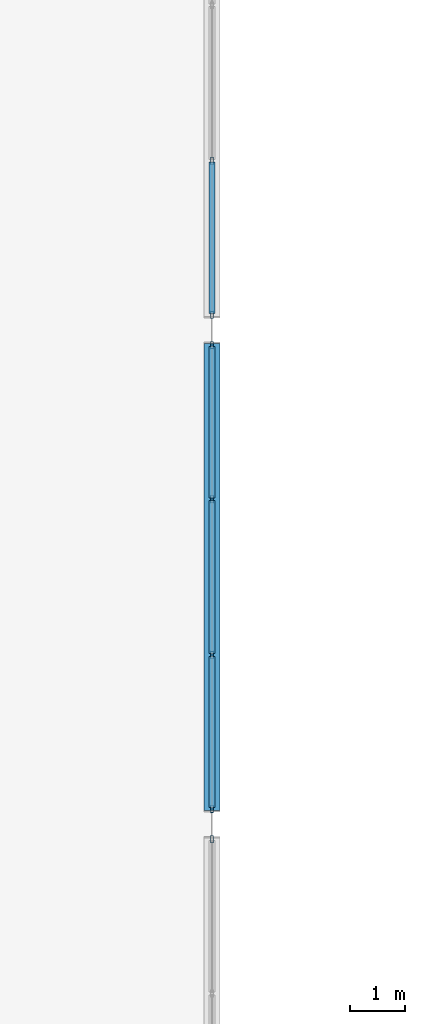
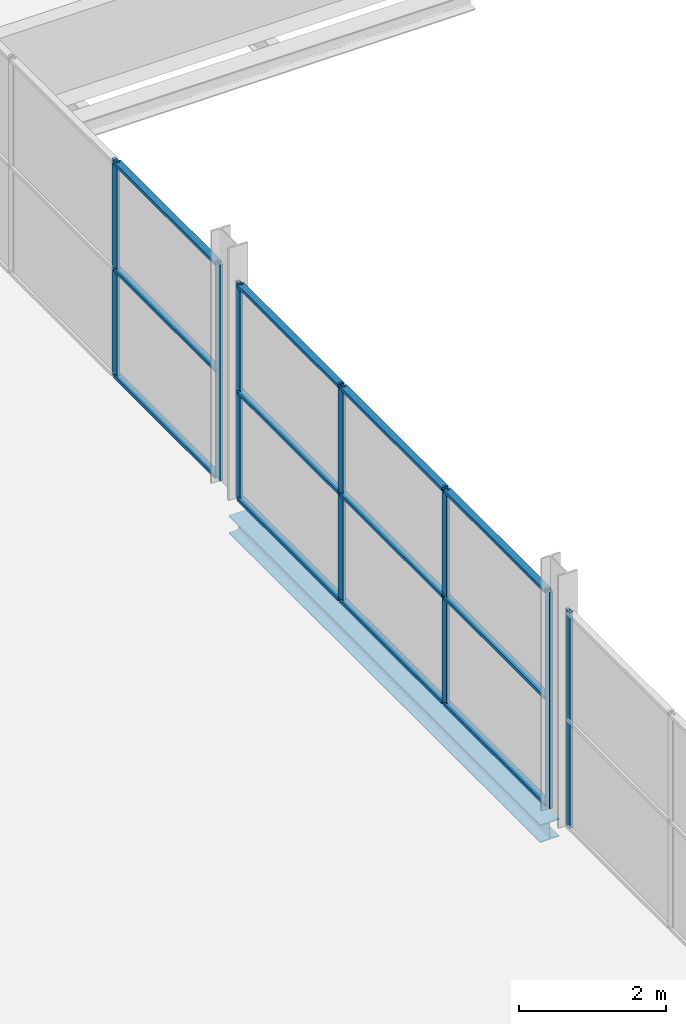
# One storey, part 23 of 59: 19 members, 1 beam, 3 elements without a shape of their own.
"""IFC4 building model written with IfcOpenShell, lengths in metres."""

from ifc_helpers import new_model, si_unit, direction, frame, origin, origin_2d, place, context, subcontext, project, spatial, hollow_rectangle, i_section, extrude, material, layer, layer_set, material_profile, profile_set, type_object, element, aggregate, save


model = new_model("IFC4")

# Units and contexts
model_context = context("Model", 3, precision=1e-05, world=origin(), true_north=direction((0.0, 1.0)))
body_context = subcontext(model_context, "Body", "Model", "MODEL_VIEW")
ifc_project = project(units=[si_unit("LENGTHUNIT", "METRE"), si_unit("AREAUNIT", "SQUARE_METRE"), si_unit("VOLUMEUNIT", "CUBIC_METRE"), si_unit("PLANEANGLEUNIT", "RADIAN"), si_unit("MASSUNIT", "GRAM", prefix="KILO")], contexts=[model_context])

# Site, building, storey
site_placement = place(None, origin())
site = spatial("IfcSite", under=ifc_project, at=site_placement, CompositionType="ELEMENT")
building_placement = place(site_placement, origin())
building = spatial("IfcBuilding", under=site, at=building_placement, Name="Deido Ridge Mobility Hub", CompositionType="ELEMENT")
storey_placement = place(building_placement, frame((0.0, 0.0, 21.0)))
storey = spatial("IfcBuildingStorey", under=building, at=storey_placement, Name="L05", CompositionType="ELEMENT", Elevation=21.0)

# Curtain wall, member
ifc_material_1 = material(Name="Anodised aluminium EN AW-6063 T6", Category="aluminium")
ifc_layer = layer(ifc_material_1, 0.16796875, Name="Anodised aluminium EN AW-6063 T6")
ifc_layer_set = layer_set([ifc_layer], Name="Anodised aluminium EN AW-6063 T6")
curtain_wall_type = type_object("IfcCurtainWallType", Name="CW-GS-4", PredefinedType="USERDEFINED", material=ifc_layer_set)
curtain_wall_1_placement = place(storey_placement, origin())
curtain_wall_1 = element("IfcCurtainWall", 1, at=curtain_wall_1_placement, inside=storey, type_object=curtain_wall_type, Name="Unitised curtain wall GS4", ObjectType="GLAZED SCREEN", PredefinedType="USERDEFINED")
ifc_material_profile_1 = material_profile(ifc_material_1, hollow_rectangle(XDim=0.050048828125, YDim=0.1298828125, WallThickness=0.00390625, at=origin_2d()), Name="RHS 50x130x4")
ifc_profile_set_1 = profile_set([ifc_material_profile_1], Name="Anodised aluminium EN AW-6063 T6")
member_type_1 = type_object("IfcMemberType", Name="MEM-MUL-50X130", PredefinedType="MULLION", material=ifc_profile_set_1)
member_1_placement = place(storey_placement, frame((99.0, 62.72509765625, 0.0), z_axis=(0.0, 0.0, 1.0), x_axis=(-1.0, 0.0, 0.0)))
member_1 = element("IfcMember", 2, at=member_1_placement, type_object=member_type_1, Name="GS4 mullion 4", PredefinedType="MULLION", context=body_context, shape_type="SweptSolid", body=[
    extrude(hollow_rectangle(XDim=0.050048828125, YDim=0.1298828125, WallThickness=0.00390625, at=origin_2d()), origin(), (0.0, 0.0, 1.0), 3.60009765625),
])
aggregate(curtain_wall_1, [member_1])

# Curtain wall, members
curtain_wall_2_placement = place(storey_placement, origin())
curtain_wall_2 = element("IfcCurtainWall", 3, at=curtain_wall_2_placement, inside=storey, type_object=curtain_wall_type, Name="Unitised curtain wall GS4", ObjectType="GLAZED SCREEN", PredefinedType="USERDEFINED")
member_2_placement = place(storey_placement, frame((99.0, 63.27490234375, 0.0), z_axis=(0.0, 0.0, 1.0), x_axis=(-1.0, 0.0, 0.0)))
member_2 = element("IfcMember", 4, at=member_2_placement, type_object=member_type_1, Name="GS4 mullion 1", PredefinedType="MULLION", context=body_context, shape_type="SweptSolid", body=[
    extrude(hollow_rectangle(XDim=0.050048828125, YDim=0.1298828125, WallThickness=0.00390625, at=origin_2d()), origin(), (0.0, 0.0, 1.0), 3.60009765625),
])
member_3_placement = place(storey_placement, frame((99.0, 66.083251953125, 0.0), z_axis=(0.0, 0.0, 1.0), x_axis=(-1.0, 0.0, 0.0)))
member_3 = element("IfcMember", 5, at=member_3_placement, type_object=member_type_1, Name="GS4 mullion 2", PredefinedType="MULLION", context=body_context, shape_type="SweptSolid", body=[
    extrude(hollow_rectangle(XDim=0.050048828125, YDim=0.1298828125, WallThickness=0.00390625, at=origin_2d()), origin(), (0.0, 0.0, 1.0), 3.60009765625),
])
member_4_placement = place(storey_placement, frame((99.0, 68.916748046875, 0.0), z_axis=(0.0, 0.0, 1.0), x_axis=(-1.0, 0.0, 0.0)))
member_4 = element("IfcMember", 6, at=member_4_placement, type_object=member_type_1, Name="GS4 mullion 3", PredefinedType="MULLION", context=body_context, shape_type="SweptSolid", body=[
    extrude(hollow_rectangle(XDim=0.050048828125, YDim=0.1298828125, WallThickness=0.00390625, at=origin_2d()), origin(), (0.0, 0.0, 1.0), 3.60009765625),
])
member_5_placement = place(storey_placement, frame((99.0, 71.72509765625, 0.0), z_axis=(0.0, 0.0, 1.0), x_axis=(-1.0, 0.0, 0.0)))
member_5 = element("IfcMember", 7, at=member_5_placement, type_object=member_type_1, Name="GS4 mullion 4", PredefinedType="MULLION", context=body_context, shape_type="SweptSolid", body=[
    extrude(hollow_rectangle(XDim=0.050048828125, YDim=0.1298828125, WallThickness=0.00390625, at=origin_2d()), origin(), (0.0, 0.0, 1.0), 3.60009765625),
])

curtain_wall_3_placement = place(storey_placement, origin())
curtain_wall_3 = element("IfcCurtainWall", 8, at=curtain_wall_3_placement, inside=storey, type_object=curtain_wall_type, Name="Unitised curtain wall GS4", ObjectType="GLAZED SCREEN", PredefinedType="USERDEFINED")
member_6_placement = place(storey_placement, frame((99.0, 72.27490234375, 0.0), z_axis=(0.0, 0.0, 1.0), x_axis=(-1.0, 0.0, 0.0)))
member_6 = element("IfcMember", 9, at=member_6_placement, type_object=member_type_1, Name="GS4 mullion 1", PredefinedType="MULLION", context=body_context, shape_type="SweptSolid", body=[
    extrude(hollow_rectangle(XDim=0.050048828125, YDim=0.1298828125, WallThickness=0.00390625, at=origin_2d()), origin(), (0.0, 0.0, 1.0), 3.60009765625),
])
member_7_placement = place(storey_placement, frame((99.0, 75.083251953125, 0.0), z_axis=(0.0, 0.0, 1.0), x_axis=(-1.0, 0.0, 0.0)))
member_7 = element("IfcMember", 10, at=member_7_placement, type_object=member_type_1, Name="GS4 mullion 2", PredefinedType="MULLION", context=body_context, shape_type="SweptSolid", body=[
    extrude(hollow_rectangle(XDim=0.050048828125, YDim=0.1298828125, WallThickness=0.00390625, at=origin_2d()), origin(), (0.0, 0.0, 1.0), 3.60009765625),
])

# Member
ifc_material_profile_2 = material_profile(ifc_material_1, hollow_rectangle(XDim=0.10498046875, YDim=0.050048828125, WallThickness=0.00390625, at=origin_2d()), Name="RHS 105x50x4")
ifc_profile_set_2 = profile_set([ifc_material_profile_2], Name="Anodised aluminium EN AW-6063 T6")
member_type_2 = type_object("IfcMemberType", Name="MEM-TRN-105X50", PredefinedType="USERDEFINED", material=ifc_profile_set_2)
member_8_placement = place(storey_placement, frame((99.0, 63.300048828125, 0.02490234375), z_axis=(0.0, 1.0, 0.0), x_axis=(-1.0, 0.0, 0.0)))
member_8 = element("IfcMember", 11, at=member_8_placement, type_object=member_type_2, Name="GS4 transom 1.1", ObjectType="TRANSOM", PredefinedType="USERDEFINED", context=body_context, shape_type="SweptSolid", body=[
    extrude(hollow_rectangle(XDim=0.10498046875, YDim=0.050048828125, WallThickness=0.00390625, at=origin_2d()), origin(), (0.0, 0.0, 1.0), 2.75830078125),
])

member_9_placement = place(storey_placement, frame((99.0, 63.300048828125, 1.800048828125), z_axis=(0.0, 1.0, 0.0), x_axis=(-1.0, 0.0, 0.0)))
member_9 = element("IfcMember", 12, at=member_9_placement, type_object=member_type_2, Name="GS4 transom 1.2", ObjectType="TRANSOM", PredefinedType="USERDEFINED", context=body_context, shape_type="SweptSolid", body=[
    extrude(hollow_rectangle(XDim=0.10498046875, YDim=0.050048828125, WallThickness=0.00390625, at=origin_2d()), origin(), (0.0, 0.0, 1.0), 2.75830078125),
])

member_10_placement = place(storey_placement, frame((99.0, 63.300048828125, 3.574951171875), z_axis=(0.0, 1.0, 0.0), x_axis=(-1.0, 0.0, 0.0)))
member_10 = element("IfcMember", 13, at=member_10_placement, type_object=member_type_2, Name="GS4 transom 1.3", ObjectType="TRANSOM", PredefinedType="USERDEFINED", context=body_context, shape_type="SweptSolid", body=[
    extrude(hollow_rectangle(XDim=0.10498046875, YDim=0.050048828125, WallThickness=0.00390625, at=origin_2d()), origin(), (0.0, 0.0, 1.0), 2.75830078125),
])

member_11_placement = place(storey_placement, frame((99.0, 66.1083984375, 0.02490234375), z_axis=(0.0, 1.0, 0.0), x_axis=(-1.0, 0.0, 0.0)))
member_11 = element("IfcMember", 14, at=member_11_placement, type_object=member_type_2, Name="GS4 transom 2.1", ObjectType="TRANSOM", PredefinedType="USERDEFINED", context=body_context, shape_type="SweptSolid", body=[
    extrude(hollow_rectangle(XDim=0.10498046875, YDim=0.050048828125, WallThickness=0.00390625, at=origin_2d()), origin(), (0.0, 0.0, 1.0), 2.783203125),
])

member_12_placement = place(storey_placement, frame((99.0, 66.1083984375, 1.800048828125), z_axis=(0.0, 1.0, 0.0), x_axis=(-1.0, 0.0, 0.0)))
member_12 = element("IfcMember", 15, at=member_12_placement, type_object=member_type_2, Name="GS4 transom 2.2", ObjectType="TRANSOM", PredefinedType="USERDEFINED", context=body_context, shape_type="SweptSolid", body=[
    extrude(hollow_rectangle(XDim=0.10498046875, YDim=0.050048828125, WallThickness=0.00390625, at=origin_2d()), origin(), (0.0, 0.0, 1.0), 2.783203125),
])

member_13_placement = place(storey_placement, frame((99.0, 66.1083984375, 3.574951171875), z_axis=(0.0, 1.0, 0.0), x_axis=(-1.0, 0.0, 0.0)))
member_13 = element("IfcMember", 16, at=member_13_placement, type_object=member_type_2, Name="GS4 transom 2.3", ObjectType="TRANSOM", PredefinedType="USERDEFINED", context=body_context, shape_type="SweptSolid", body=[
    extrude(hollow_rectangle(XDim=0.10498046875, YDim=0.050048828125, WallThickness=0.00390625, at=origin_2d()), origin(), (0.0, 0.0, 1.0), 2.783203125),
])

member_14_placement = place(storey_placement, frame((99.0, 68.941650390625, 0.02490234375), z_axis=(0.0, 1.0, 0.0), x_axis=(-1.0, 0.0, 0.0)))
member_14 = element("IfcMember", 17, at=member_14_placement, type_object=member_type_2, Name="GS4 transom 3.1", ObjectType="TRANSOM", PredefinedType="USERDEFINED", context=body_context, shape_type="SweptSolid", body=[
    extrude(hollow_rectangle(XDim=0.10498046875, YDim=0.050048828125, WallThickness=0.00390625, at=origin_2d()), origin(), (0.0, 0.0, 1.0), 2.75830078125),
])

member_15_placement = place(storey_placement, frame((99.0, 68.941650390625, 1.800048828125), z_axis=(0.0, 1.0, 0.0), x_axis=(-1.0, 0.0, 0.0)))
member_15 = element("IfcMember", 18, at=member_15_placement, type_object=member_type_2, Name="GS4 transom 3.2", ObjectType="TRANSOM", PredefinedType="USERDEFINED", context=body_context, shape_type="SweptSolid", body=[
    extrude(hollow_rectangle(XDim=0.10498046875, YDim=0.050048828125, WallThickness=0.00390625, at=origin_2d()), origin(), (0.0, 0.0, 1.0), 2.75830078125),
])

member_16_placement = place(storey_placement, frame((99.0, 68.941650390625, 3.574951171875), z_axis=(0.0, 1.0, 0.0), x_axis=(-1.0, 0.0, 0.0)))
member_16 = element("IfcMember", 19, at=member_16_placement, type_object=member_type_2, Name="GS4 transom 3.3", ObjectType="TRANSOM", PredefinedType="USERDEFINED", context=body_context, shape_type="SweptSolid", body=[
    extrude(hollow_rectangle(XDim=0.10498046875, YDim=0.050048828125, WallThickness=0.00390625, at=origin_2d()), origin(), (0.0, 0.0, 1.0), 2.75830078125),
])

aggregate(curtain_wall_2, [member_2, member_3, member_4, member_5, member_8, member_9, member_10, member_11, member_12, member_13, member_14, member_15, member_16])

member_17_placement = place(storey_placement, frame((99.0, 72.300048828125, 0.02490234375), z_axis=(0.0, 1.0, 0.0), x_axis=(-1.0, 0.0, 0.0)))
member_17 = element("IfcMember", 20, at=member_17_placement, type_object=member_type_2, Name="GS4 transom 1.1", ObjectType="TRANSOM", PredefinedType="USERDEFINED", context=body_context, shape_type="SweptSolid", body=[
    extrude(hollow_rectangle(XDim=0.10498046875, YDim=0.050048828125, WallThickness=0.00390625, at=origin_2d()), origin(), (0.0, 0.0, 1.0), 2.75830078125),
])

member_18_placement = place(storey_placement, frame((99.0, 72.300048828125, 1.800048828125), z_axis=(0.0, 1.0, 0.0), x_axis=(-1.0, 0.0, 0.0)))
member_18 = element("IfcMember", 21, at=member_18_placement, type_object=member_type_2, Name="GS4 transom 1.2", ObjectType="TRANSOM", PredefinedType="USERDEFINED", context=body_context, shape_type="SweptSolid", body=[
    extrude(hollow_rectangle(XDim=0.10498046875, YDim=0.050048828125, WallThickness=0.00390625, at=origin_2d()), origin(), (0.0, 0.0, 1.0), 2.75830078125),
])

member_19_placement = place(storey_placement, frame((99.0, 72.300048828125, 3.574951171875), z_axis=(0.0, 1.0, 0.0), x_axis=(-1.0, 0.0, 0.0)))
member_19 = element("IfcMember", 22, at=member_19_placement, type_object=member_type_2, Name="GS4 transom 1.3", ObjectType="TRANSOM", PredefinedType="USERDEFINED", context=body_context, shape_type="SweptSolid", body=[
    extrude(hollow_rectangle(XDim=0.10498046875, YDim=0.050048828125, WallThickness=0.00390625, at=origin_2d()), origin(), (0.0, 0.0, 1.0), 2.75830078125),
])

aggregate(curtain_wall_3, [member_6, member_7, member_17, member_18, member_19])

# Beam
ifc_material_2 = material(Name="Steel S355J2 EN 10025-2", Category="steel")
ifc_material_profile_3 = material_profile(ifc_material_2, i_section(OverallWidth=0.300048828125, OverallDepth=0.300048828125, WebThickness=0.010986328125, FlangeThickness=0.01904296875, FilletRadius=0.027099609375, at=origin_2d()), Name="HEB 300")
ifc_profile_set_3 = profile_set([ifc_material_profile_3], Name="Steel S355J2 EN 10025-2")
beam_type = type_object("IfcBeamType", Name="SPD-HEB300", PredefinedType="SPANDREL", material=ifc_profile_set_3)
beam_placement = place(storey_placement, frame((99.0, 63.25, -0.39501953125), z_axis=(0.0, 1.0, 0.0), x_axis=(-1.0, 0.0, 0.0)))
element("IfcBeam", 23, at=beam_placement, inside=storey, type_object=beam_type, Name="Floor beam SP1", PredefinedType="SPANDREL", context=body_context, shape_type="SweptSolid", body=[
    extrude(i_section(OverallWidth=0.300048828125, OverallDepth=0.300048828125, WebThickness=0.010986328125, FlangeThickness=0.01904296875, FilletRadius=0.027099609375, at=origin_2d()), origin(), (0.0, 0.0, 1.0), 8.5),
])

save(model, "model.ifc")
